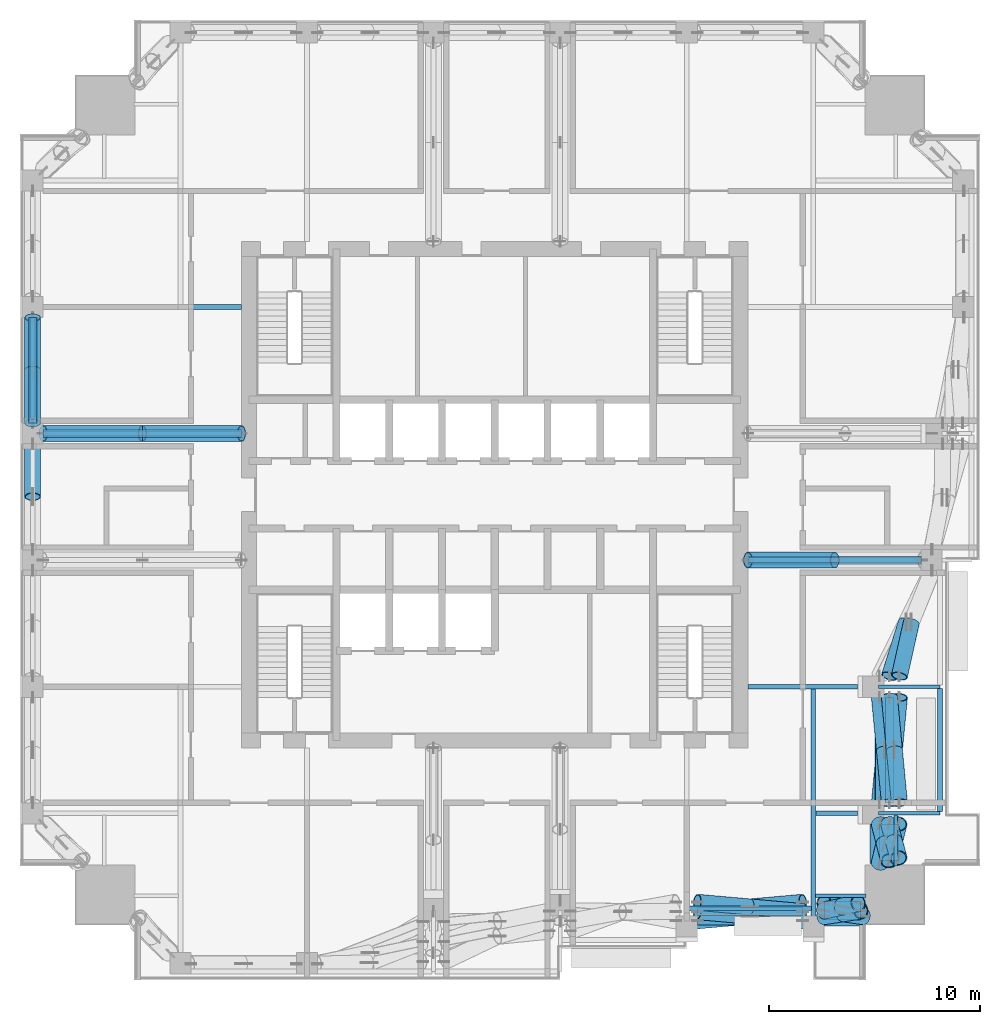
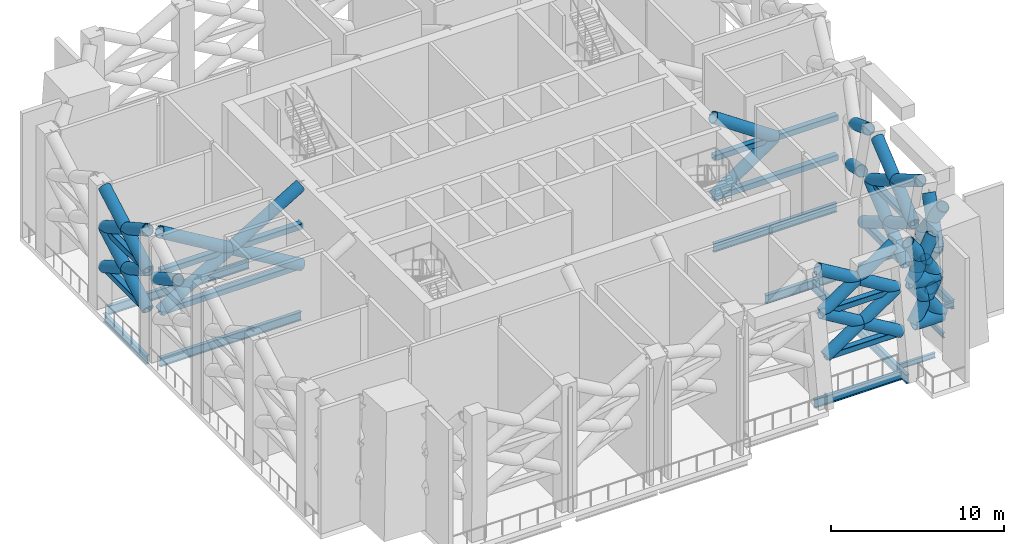
# One storey, part 3 of 18: 39 members, 27 beams.
"""IFC4 building model written with IfcOpenShell, lengths in metres."""

from ifc_helpers import new_model, si_unit, direction, frame, origin, origin_2d, place, context, subcontext, project, spatial, hollow_rectangle, hollow_circle, i_section, extrude, material, material_profile, profile_set, type_object, element, save


model = new_model("IFC4")

# Units and contexts
model_context = context("Model", 3, precision=1e-05, world=origin(), true_north=direction((0.0, 1.0)))
body_context = subcontext(model_context, "Body", "Model", "MODEL_VIEW")
ifc_project = project(units=[si_unit("LENGTHUNIT", "METRE"), si_unit("AREAUNIT", "SQUARE_METRE"), si_unit("VOLUMEUNIT", "CUBIC_METRE"), si_unit("PLANEANGLEUNIT", "RADIAN"), si_unit("MASSUNIT", "GRAM", prefix="KILO")], contexts=[model_context])

# Site, building, storey
site_placement = place(None, origin())
site = spatial("IfcSite", under=ifc_project, at=site_placement, CompositionType="ELEMENT")
building_placement = place(site_placement, origin())
building = spatial("IfcBuilding", under=site, at=building_placement, Name="Amberfall Residences", CompositionType="ELEMENT")
storey_placement = place(building_placement, frame((0.0, 0.0, 178.0)))
storey = spatial("IfcBuildingStorey", under=building, at=storey_placement, Name="L48", CompositionType="ELEMENT", Elevation=178.0)

# Beams
ifc_material = material(Name="Steel S355", Category="steel")
ifc_material_profile_1 = material_profile(ifc_material, hollow_circle(Radius=0.457275390625, WallThickness=0.06005859375, at=origin_2d()), Name="CHS 914.4x60")
ifc_profile_set_1 = profile_set([ifc_material_profile_1], Name="Steel S355")
beam_type_1 = type_object("IfcBeamType", Name="Belt truss chord BT CHS 914.4x60", PredefinedType="BEAM", material=ifc_profile_set_1)
beam_1_placement = place(storey_placement, frame((92.75146484375, 28.033447265625, 3.0), z_axis=(0.0, 1.0, 0.0), x_axis=(-1.0, 0.0, 0.0)))
element("IfcBeam", 1, at=beam_1_placement, inside=storey, type_object=beam_type_1, Name="Belt truss chord BT2 L48 SEE", PredefinedType="BEAM", context=body_context, shape_type="SweptSolid", body=[
    extrude(hollow_circle(Radius=0.457275390625, WallThickness=0.06005859375, at=origin_2d()), origin(), (0.0, 0.0, 1.0), 1.866455078125),
])
beam_2_placement = place(storey_placement, frame((93.197998046875, 28.154052734375, 5.646484375), z_axis=(0.0, 1.0, 0.0), x_axis=(-1.0, 0.0, 0.0)))
element("IfcBeam", 2, at=beam_2_placement, inside=storey, type_object=beam_type_1, Name="Belt truss chord BT2 L48 SEEm", PredefinedType="BEAM", context=body_context, shape_type="SweptSolid", body=[
    extrude(hollow_circle(Radius=0.457275390625, WallThickness=0.06005859375, at=origin_2d()), origin(), (0.0, 0.0, 1.0), 1.745849609375),
])
beam_3_placement = place(storey_placement, frame((91.96826171875, 25.525390625, 3.0), z_axis=(-1.0, 0.0, 0.0), x_axis=(0.0, -1.0, 0.0)))
element("IfcBeam", 3, at=beam_3_placement, inside=storey, type_object=beam_type_1, Name="Belt truss chord BT2 L48 SES", PredefinedType="BEAM", context=body_context, shape_type="SweptSolid", body=[
    extrude(hollow_circle(Radius=0.457275390625, WallThickness=0.06005859375, at=origin_2d()), origin(), (0.0, 0.0, 1.0), 1.8681640625),
])
beam_4_placement = place(storey_placement, frame((91.84716796875, 25.79443359375, 5.646484375), z_axis=(-1.0, 0.0, 0.0), x_axis=(0.0, -1.0, 0.0)))
element("IfcBeam", 4, at=beam_4_placement, inside=storey, type_object=beam_type_1, Name="Belt truss chord BT2 L48 SESm", PredefinedType="BEAM", context=body_context, shape_type="SweptSolid", body=[
    extrude(hollow_circle(Radius=0.457275390625, WallThickness=0.06005859375, at=origin_2d()), origin(), (0.0, 0.0, 1.0), 1.7470703125),
])
ifc_material_profile_2 = material_profile(ifc_material, hollow_rectangle(XDim=0.39990234375, YDim=0.39990234375, WallThickness=0.02001953125, InnerFilletRadius=0.02001953125, OuterFilletRadius=0.030029296875, at=origin_2d()), Name="RHS 400x400x20")
ifc_profile_set_2 = profile_set([ifc_material_profile_2], Name="Steel S355")
beam_type_2 = type_object("IfcBeamType", Name="Belt truss chord BT RHS 400x400x20", PredefinedType="BEAM", material=ifc_profile_set_2)
for number, where, z_axis, x_axis, name in (
    (5, (84.10009765625, 25.30029296875, 2.89990234375), (1.0, 0.0, 0.0), (0.0, 1.0, 0.0), "Belt truss chord BT3 L48 S5"),
    (6, (84.10009765625, 25.741943359375, 5.699951171875), (1.0, 0.0, 0.0), (0.0, 1.0, 0.0), "Belt truss chord BT3 L48 S5m"),
    (7, (92.734375, 30.89990234375, 2.89990234375), (0.0, 1.0, 0.0), (-1.0, 0.0, 0.0), "Belt truss chord BT3 L48 E1"),
    (8, (93.20703125, 30.89990234375, 5.699951171875), (0.0, 1.0, 0.0), (-1.0, 0.0, 0.0), "Belt truss chord BT3 L48 E1m"),
    (9, (52.60009765625, 48.89990234375, 2.89990234375), (0.0, 1.0, 0.0), (-1.0, 0.0, 0.0), "Belt truss chord BT3 L48 W4"),
    (10, (52.60009765625, 48.89990234375, 5.699951171875), (0.0, 1.0, 0.0), (-1.0, 0.0, 0.0), "Belt truss chord BT3 L48 W4m"),
):
    element("IfcBeam", number, at=place(storey_placement, frame(where, z_axis=z_axis, x_axis=x_axis)), inside=storey, type_object=beam_type_2, Name=name, PredefinedType="BEAM", context=body_context, shape_type="SweptSolid", body=[
        extrude(hollow_rectangle(XDim=0.39990234375, YDim=0.39990234375, WallThickness=0.02001953125, InnerFilletRadius=0.02001953125, OuterFilletRadius=0.030029296875, at=origin_2d()), origin(), (0.0, 0.0, 1.0), 5.0),
    ])

# Members
ifc_material_profile_3 = material_profile(ifc_material, hollow_circle(Radius=0.381103515625, WallThickness=0.0400390625, at=origin_2d()), Name="CHS 762x40")
ifc_profile_set_3 = profile_set([ifc_material_profile_3], Name="Steel S355")
member_type_1 = type_object("IfcMemberType", Name="Belt truss diagonal BT CHS 762x40", PredefinedType="BRACE", material=ifc_profile_set_3)
member_1_placement = place(storey_placement, frame((84.10009765625, 25.30029296875, 2.89990234375), z_axis=(0.869922751727, 0.076840344623, 0.487165236307), x_axis=(-0.087987496906, 0.99612157912, 0.0)))
element("IfcMember", 11, at=member_1_placement, inside=storey, type_object=member_type_1, Name="Belt truss diagonal BT4 L48 S5d", PredefinedType="BRACE", context=body_context, shape_type="SweptSolid", body=[
    extrude(hollow_circle(Radius=0.381103515625, WallThickness=0.0400390625, at=origin_2d()), origin(), (0.0, 0.0, 1.0), 5.74755859375),
])
for number, where, z_axis, x_axis, name in (
    (12, (84.10009765625, 25.741943359375, 5.699951171875), (0.869937912652, -0.076884161226, -0.487131249135), (0.088035758793, 0.996117314965, 0.0), "Belt truss diagonal BT4 L48 S5e"),
    (13, (86.60009765625, 25.52099609375, 4.300048828125), (0.869907588456, -0.076796529293, -0.487199220683), (0.087939234398, 0.996125840973, 0.0), "Belt truss diagonal BT4 L48 S5e2"),
):
    element("IfcMember", number, at=place(storey_placement, frame(where, z_axis=z_axis, x_axis=x_axis)), inside=storey, type_object=member_type_1, Name=name, PredefinedType="BRACE", context=body_context, shape_type="SweptSolid", body=[
        extrude(hollow_circle(Radius=0.381103515625, WallThickness=0.0400390625, at=origin_2d()), origin(), (0.0, 0.0, 1.0), 2.873779296875),
    ])
member_2_placement = place(storey_placement, frame((84.10009765625, 25.741943359375, 5.699951171875), z_axis=(0.869925590318, 0.07679811852, 0.487166825945), x_axis=(-0.087939234398, 0.996125840973, 0.0)))
element("IfcMember", 14, at=member_2_placement, inside=storey, type_object=member_type_1, Name="Belt truss diagonal BT4 L48 S5du", PredefinedType="BRACE", context=body_context, shape_type="SweptSolid", body=[
    extrude(hollow_circle(Radius=0.381103515625, WallThickness=0.0400390625, at=origin_2d()), origin(), (0.0, 0.0, 1.0), 5.74755859375),
])
for number, where, z_axis, x_axis, name in (
    (15, (84.10009765625, 26.183349609375, 8.5), (0.869943591728, -0.076799707707, -0.487134429196), (0.087939234398, 0.996125840973, 0.0), "Belt truss diagonal BT4 L48 S5eu"),
    (16, (86.60009765625, 25.962646484375, 7.10009765625), (0.869907588456, -0.076796529293, -0.487199220683), (0.087939234398, 0.996125840973, 0.0), "Belt truss diagonal BT4 L48 S5e2u"),
):
    element("IfcMember", number, at=place(storey_placement, frame(where, z_axis=z_axis, x_axis=x_axis)), inside=storey, type_object=member_type_1, Name=name, PredefinedType="BRACE", context=body_context, shape_type="SweptSolid", body=[
        extrude(hollow_circle(Radius=0.381103515625, WallThickness=0.0400390625, at=origin_2d()), origin(), (0.0, 0.0, 1.0), 2.873779296875),
    ])
member_3_placement = place(storey_placement, frame((92.734375, 30.89990234375, 2.89990234375), z_axis=(0.082199623387, 0.869549735, 0.486956343297), x_axis=(-0.995561645707, 0.094111686821, 0.0)))
element("IfcMember", 17, at=member_3_placement, inside=storey, type_object=member_type_1, Name="Belt truss diagonal BT4 L48 E1d", PredefinedType="BRACE", context=body_context, shape_type="SweptSolid", body=[
    extrude(hollow_circle(Radius=0.381103515625, WallThickness=0.0400390625, at=origin_2d()), origin(), (0.0, 0.0, 1.0), 5.75),
])
for number, where, z_axis, x_axis, name in (
    (18, (93.20703125, 30.89990234375, 5.699951171875), (-0.082201322878, 0.869567713086, -0.48692395184), (-0.995561645707, -0.094111686821, 0.0), "Belt truss diagonal BT4 L48 E1e"),
    (19, (92.970703125, 33.39990234375, 4.300048828125), (-0.082197923853, 0.869531756461, -0.486988732745), (-0.995561645707, -0.094111686821, 0.0), "Belt truss diagonal BT4 L48 E1e2"),
):
    element("IfcMember", number, at=place(storey_placement, frame(where, z_axis=z_axis, x_axis=x_axis)), inside=storey, type_object=member_type_1, Name=name, PredefinedType="BRACE", context=body_context, shape_type="SweptSolid", body=[
        extrude(hollow_circle(Radius=0.381103515625, WallThickness=0.0400390625, at=origin_2d()), origin(), (0.0, 0.0, 1.0), 2.875),
    ])
member_4_placement = place(storey_placement, frame((93.20703125, 30.89990234375, 5.699951171875), z_axis=(0.082199623387, 0.869549735, 0.486956343297), x_axis=(-0.995561645707, 0.094111686821, 0.0)))
element("IfcMember", 20, at=member_4_placement, inside=storey, type_object=member_type_1, Name="Belt truss diagonal BT4 L48 E1du", PredefinedType="BRACE", context=body_context, shape_type="SweptSolid", body=[
    extrude(hollow_circle(Radius=0.381103515625, WallThickness=0.0400390625, at=origin_2d()), origin(), (0.0, 0.0, 1.0), 5.75),
])
for number, where, z_axis, x_axis, name in (
    (21, (93.6796875, 30.89990234375, 8.5), (-0.082201322878, 0.869567713086, -0.48692395184), (-0.995561645707, -0.094111686821, 0.0), "Belt truss diagonal BT4 L48 E1eu"),
    (22, (93.443359375, 33.39990234375, 7.10009765625), (-0.082197923853, 0.869531756461, -0.486988732745), (-0.995561645707, -0.094111686821, 0.0), "Belt truss diagonal BT4 L48 E1e2u"),
):
    element("IfcMember", number, at=place(storey_placement, frame(where, z_axis=z_axis, x_axis=x_axis)), inside=storey, type_object=member_type_1, Name=name, PredefinedType="BRACE", context=body_context, shape_type="SweptSolid", body=[
        extrude(hollow_circle(Radius=0.381103515625, WallThickness=0.0400390625, at=origin_2d()), origin(), (0.0, 0.0, 1.0), 2.875),
    ])
member_5_placement = place(storey_placement, frame((93.20703125, 36.89990234375, 5.699951171875), z_axis=(0.267431299975, 0.849664199951, -0.454479094255), x_axis=(-0.953867120363, 0.300229107001, 0.0)))
element("IfcMember", 23, at=member_5_placement, inside=storey, type_object=member_type_1, Name="Belt truss diagonal BT4 L48 E2e", PredefinedType="BRACE", context=body_context, shape_type="SweptSolid", body=[
    extrude(hollow_circle(Radius=0.381103515625, WallThickness=0.0400390625, at=origin_2d()), origin(), (0.0, 0.0, 1.0), 3.009765625),
])
member_6_placement = place(storey_placement, frame((93.6796875, 36.89990234375, 8.5), z_axis=(0.192598487885, 0.864419061341, -0.4644195397), x_axis=(-0.976066068364, 0.217474205799, 0.0)))
element("IfcMember", 24, at=member_6_placement, inside=storey, type_object=member_type_1, Name="Belt truss diagonal BT4 L48 E2eu", PredefinedType="BRACE", context=body_context, shape_type="SweptSolid", body=[
    extrude(hollow_circle(Radius=0.381103515625, WallThickness=0.0400390625, at=origin_2d()), origin(), (0.0, 0.0, 1.0), 2.952392578125),
])
member_7_placement = place(storey_placement, frame((52.60009765625, 45.39990234375, 7.10009765625), z_axis=(0.0, 0.872484221242, -0.488642286018), x_axis=(-1.0, 0.0, 0.0)))
element("IfcMember", 25, at=member_7_placement, inside=storey, type_object=member_type_1, Name="Belt truss diagonal BT4 L48 W3e2u", PredefinedType="BRACE", context=body_context, shape_type="SweptSolid", body=[
    extrude(hollow_circle(Radius=0.381103515625, WallThickness=0.0400390625, at=origin_2d()), origin(), (0.0, 0.0, 1.0), 2.865478515625),
])
member_8_placement = place(storey_placement, frame((52.60009765625, 48.89990234375, 2.89990234375), z_axis=(0.0, 0.872502383543, 0.488609855315), x_axis=(-1.0, 0.0, 0.0)))
element("IfcMember", 26, at=member_8_placement, inside=storey, type_object=member_type_1, Name="Belt truss diagonal BT4 L48 W4d", PredefinedType="BRACE", context=body_context, shape_type="SweptSolid", body=[
    extrude(hollow_circle(Radius=0.381103515625, WallThickness=0.0400390625, at=origin_2d()), origin(), (0.0, 0.0, 1.0), 5.730712890625),
])
member_9_placement = place(storey_placement, frame((52.60009765625, 48.89990234375, 5.699951171875), z_axis=(0.0, 0.872520545396, -0.488577422588), x_axis=(-1.0, 0.0, 0.0)))
element("IfcMember", 27, at=member_9_placement, inside=storey, type_object=member_type_1, Name="Belt truss diagonal BT4 L48 W4e", PredefinedType="BRACE", context=body_context, shape_type="SweptSolid", body=[
    extrude(hollow_circle(Radius=0.381103515625, WallThickness=0.0400390625, at=origin_2d()), origin(), (0.0, 0.0, 1.0), 2.865234375),
])
member_10_placement = place(storey_placement, frame((52.60009765625, 51.39990234375, 4.300048828125), z_axis=(0.0, 0.872484221242, -0.488642286018), x_axis=(-1.0, 0.0, 0.0)))
element("IfcMember", 28, at=member_10_placement, inside=storey, type_object=member_type_1, Name="Belt truss diagonal BT4 L48 W4e2", PredefinedType="BRACE", context=body_context, shape_type="SweptSolid", body=[
    extrude(hollow_circle(Radius=0.381103515625, WallThickness=0.0400390625, at=origin_2d()), origin(), (0.0, 0.0, 1.0), 2.865478515625),
])
member_11_placement = place(storey_placement, frame((52.60009765625, 48.89990234375, 5.699951171875), z_axis=(0.0, 0.872502383543, 0.488609855315), x_axis=(-1.0, 0.0, 0.0)))
element("IfcMember", 29, at=member_11_placement, inside=storey, type_object=member_type_1, Name="Belt truss diagonal BT4 L48 W4du", PredefinedType="BRACE", context=body_context, shape_type="SweptSolid", body=[
    extrude(hollow_circle(Radius=0.381103515625, WallThickness=0.0400390625, at=origin_2d()), origin(), (0.0, 0.0, 1.0), 5.730712890625),
])
member_12_placement = place(storey_placement, frame((52.60009765625, 48.89990234375, 8.5), z_axis=(0.0, 0.872520545396, -0.488577422588), x_axis=(-1.0, 0.0, 0.0)))
element("IfcMember", 30, at=member_12_placement, inside=storey, type_object=member_type_1, Name="Belt truss diagonal BT4 L48 W4eu", PredefinedType="BRACE", context=body_context, shape_type="SweptSolid", body=[
    extrude(hollow_circle(Radius=0.381103515625, WallThickness=0.0400390625, at=origin_2d()), origin(), (0.0, 0.0, 1.0), 2.865234375),
])
member_13_placement = place(storey_placement, frame((52.60009765625, 51.39990234375, 7.10009765625), z_axis=(0.0, 0.872484221242, -0.488642286018), x_axis=(-1.0, 0.0, 0.0)))
element("IfcMember", 31, at=member_13_placement, inside=storey, type_object=member_type_1, Name="Belt truss diagonal BT4 L48 W4e2u", PredefinedType="BRACE", context=body_context, shape_type="SweptSolid", body=[
    extrude(hollow_circle(Radius=0.381103515625, WallThickness=0.0400390625, at=origin_2d()), origin(), (0.0, 0.0, 1.0), 2.865478515625),
])
ifc_material_profile_4 = material_profile(ifc_material, hollow_circle(Radius=0.406494140625, WallThickness=0.050048828125, at=origin_2d()), Name="CHS 813x50")
ifc_profile_set_4 = profile_set([ifc_material_profile_4], Name="Steel S355")
member_type_2 = type_object("IfcMemberType", Name="Belt truss diagonal BT CHS 813x50", PredefinedType="BRACE", material=ifc_profile_set_4)
member_14_placement = place(storey_placement, frame((92.75146484375, 28.033447265625, 3.0), z_axis=(0.136592658025, 0.570940880591, 0.809548612897), x_axis=(-0.97255448979, 0.232675233725, 0.0)))
element("IfcMember", 32, at=member_14_placement, inside=storey, type_object=member_type_2, Name="Belt truss diagonal BT5 L48 SEEd", PredefinedType="BRACE", context=body_context, shape_type="SweptSolid", body=[
    extrude(hollow_circle(Radius=0.406494140625, WallThickness=0.050048828125, at=origin_2d()), origin(), (0.0, 0.0, 1.0), 3.26904296875),
])
member_15_placement = place(storey_placement, frame((93.197998046875, 28.154052734375, 5.646484375), z_axis=(-0.139472236489, 0.545267024101, -0.826578107426), x_axis=(-0.968808965272, -0.247808774682, 0.0)))
element("IfcMember", 33, at=member_15_placement, inside=storey, type_object=member_type_2, Name="Belt truss diagonal BT5 L48 SEEe", PredefinedType="BRACE", context=body_context, shape_type="SweptSolid", body=[
    extrude(hollow_circle(Radius=0.406494140625, WallThickness=0.050048828125, at=origin_2d()), origin(), (0.0, 0.0, 1.0), 1.54736328125),
])
member_16_placement = place(storey_placement, frame((92.982177734375, 28.997802734375, 4.367431640625), z_axis=(-0.139458140046, 0.545288706317, -0.826566182431), x_axis=(-0.96881734322, -0.247776018767, 0.0)))
element("IfcMember", 34, at=member_16_placement, inside=storey, type_object=member_type_2, Name="Belt truss diagonal BT5 L48 SEEe2", PredefinedType="BRACE", context=body_context, shape_type="SweptSolid", body=[
    extrude(hollow_circle(Radius=0.406494140625, WallThickness=0.050048828125, at=origin_2d()), origin(), (0.0, 0.0, 1.0), 1.654296875),
])
member_17_placement = place(storey_placement, frame((93.197998046875, 28.154052734375, 5.646484375), z_axis=(0.137304316042, 0.545479535564, 0.826800823099), x_axis=(-0.969750363054, 0.244098818836, 0.0)))
element("IfcMember", 35, at=member_17_placement, inside=storey, type_object=member_type_2, Name="Belt truss diagonal BT5 L48 SEEdu", PredefinedType="BRACE", context=body_context, shape_type="SweptSolid", body=[
    extrude(hollow_circle(Radius=0.406494140625, WallThickness=0.050048828125, at=origin_2d()), origin(), (0.0, 0.0, 1.0), 3.20068359375),
])
member_18_placement = place(storey_placement, frame((93.637451171875, 28.2724609375, 8.292724609375), z_axis=(-0.140002693366, 0.518719656526, -0.843403322132), x_axis=(-0.965453253586, -0.260576313468, 0.0)))
element("IfcMember", 36, at=member_18_placement, inside=storey, type_object=member_type_2, Name="Belt truss diagonal BT5 L48 SEEeu", PredefinedType="BRACE", context=body_context, shape_type="SweptSolid", body=[
    extrude(hollow_circle(Radius=0.406494140625, WallThickness=0.050048828125, at=origin_2d()), origin(), (0.0, 0.0, 1.0), 1.513671875),
])
member_19_placement = place(storey_placement, frame((93.425537109375, 29.0576171875, 7.01611328125), z_axis=(-0.140117548127, 0.518675473215, -0.843411421663), x_axis=(-0.965393864243, -0.2607962555, 0.0)))
element("IfcMember", 37, at=member_19_placement, inside=storey, type_object=member_type_2, Name="Belt truss diagonal BT5 L48 SEEe2u", PredefinedType="BRACE", context=body_context, shape_type="SweptSolid", body=[
    extrude(hollow_circle(Radius=0.406494140625, WallThickness=0.050048828125, at=origin_2d()), origin(), (0.0, 0.0, 1.0), 1.6240234375),
])
member_20_placement = place(storey_placement, frame((91.96826171875, 25.525390625, 3.0), z_axis=(-0.574716322759, 0.082767562426, 0.814156421681), x_axis=(-0.142544025847, -0.9897884626, 0.0)))
element("IfcMember", 38, at=member_20_placement, inside=storey, type_object=member_type_2, Name="Belt truss diagonal BT5 L48 SESd", PredefinedType="BRACE", context=body_context, shape_type="SweptSolid", body=[
    extrude(hollow_circle(Radius=0.406494140625, WallThickness=0.050048828125, at=origin_2d()), origin(), (0.0, 0.0, 1.0), 3.25048828125),
])
member_21_placement = place(storey_placement, frame((91.84716796875, 25.79443359375, 5.646484375), z_axis=(-0.548968445977, -0.084615437162, -0.831549080401), x_axis=(0.15233637922, -0.98832870421, 0.0)))
element("IfcMember", 39, at=member_21_placement, inside=storey, type_object=member_type_2, Name="Belt truss diagonal BT5 L48 SESe", PredefinedType="BRACE", context=body_context, shape_type="SweptSolid", body=[
    extrude(hollow_circle(Radius=0.406494140625, WallThickness=0.050048828125, at=origin_2d()), origin(), (0.0, 0.0, 1.0), 1.537841796875),
])
member_22_placement = place(storey_placement, frame((91.0029296875, 25.664306640625, 4.36767578125), z_axis=(-0.548944085689, -0.084464354991, -0.831580521371), x_axis=(0.15207726818, -0.988368607607, 0.0)))
element("IfcMember", 40, at=member_22_placement, inside=storey, type_object=member_type_2, Name="Belt truss diagonal BT5 L48 SESe2", PredefinedType="BRACE", context=body_context, shape_type="SweptSolid", body=[
    extrude(hollow_circle(Radius=0.406494140625, WallThickness=0.050048828125, at=origin_2d()), origin(), (0.0, 0.0, 1.0), 1.644775390625),
])
member_23_placement = place(storey_placement, frame((91.84716796875, 25.79443359375, 5.646484375), z_axis=(-0.547644876941, 0.109590198963, 0.82950290961), x_axis=(-0.196221538785, -0.98055958907, 0.0)))
element("IfcMember", 41, at=member_23_placement, inside=storey, type_object=member_type_2, Name="Belt truss diagonal BT5 L48 SESdu", PredefinedType="BRACE", context=body_context, shape_type="SweptSolid", body=[
    extrude(hollow_circle(Radius=0.406494140625, WallThickness=0.050048828125, at=origin_2d()), origin(), (0.0, 0.0, 1.0), 3.190185546875),
])
member_24_placement = place(storey_placement, frame((91.727783203125, 26.14404296875, 8.292724609375), z_axis=(-0.520662976356, -0.111871304932, -0.846401131961), x_axis=(0.210068854643, -0.977686594113, 0.0)))
element("IfcMember", 42, at=member_24_placement, inside=storey, type_object=member_type_2, Name="Belt truss diagonal BT5 L48 SESeu", PredefinedType="BRACE", context=body_context, shape_type="SweptSolid", body=[
    extrude(hollow_circle(Radius=0.406494140625, WallThickness=0.050048828125, at=origin_2d()), origin(), (0.0, 0.0, 1.0), 1.508056640625),
])
member_25_placement = place(storey_placement, frame((90.942626953125, 25.975341796875, 7.016357421875), z_axis=(-0.520602228624, -0.111783903625, -0.846450044859), x_axis=(0.209935383816, -0.977715262549, 0.0)))
element("IfcMember", 43, at=member_25_placement, inside=storey, type_object=member_type_2, Name="Belt truss diagonal BT5 L48 SESe2u", PredefinedType="BRACE", context=body_context, shape_type="SweptSolid", body=[
    extrude(hollow_circle(Radius=0.406494140625, WallThickness=0.050048828125, at=origin_2d()), origin(), (0.0, 0.0, 1.0), 1.618408203125),
])

# Beams
ifc_material_profile_5 = material_profile(ifc_material, i_section(OverallWidth=0.171142578125, OverallDepth=0.351318359375, WebThickness=0.007080078125, FlangeThickness=0.009765625, FilletRadius=0.01025390625, at=origin_2d()), Name="UB 356x171x45")
ifc_profile_set_5 = profile_set([ifc_material_profile_5], Name="Steel S355")
beam_type_3 = type_object("IfcBeamType", Name="Cantilever girder UB 356x171x45", PredefinedType="BEAM", material=ifc_profile_set_5)
for number, where, z_axis, x_axis, name in (
    (44, (92.699951171875, 30.39990234375, -0.525634765625), (1.0, 0.0, 0.0), (0.0, 1.0, 0.0), "Cantilever girder B8 L48 19"),
    (45, (92.699951171875, 36.39990234375, -0.525634765625), (1.0, 0.0, 0.0), (0.0, 1.0, 0.0), "Cantilever girder B8 L48 20"),
):
    element("IfcBeam", number, at=place(storey_placement, frame(where, z_axis=z_axis, x_axis=x_axis)), inside=storey, type_object=beam_type_3, Name=name, PredefinedType="BEAM", context=body_context, shape_type="SweptSolid", body=[
        extrude(i_section(OverallWidth=0.171142578125, OverallDepth=0.351318359375, WebThickness=0.007080078125, FlangeThickness=0.009765625, FilletRadius=0.01025390625, at=origin_2d()), origin(), (0.0, 0.0, 1.0), 2.900146484375),
    ])
ifc_material_profile_6 = material_profile(ifc_material, i_section(OverallWidth=0.228271484375, OverallDepth=0.607666015625, WebThickness=0.010986328125, FlangeThickness=0.017333984375, FilletRadius=0.0126953125, at=origin_2d()), Name="UB 610x229x113")
ifc_profile_set_6 = profile_set([ifc_material_profile_6], Name="Steel S355")
beam_type_4 = type_object("IfcBeamType", Name="Edge beam UB 610x229x113", PredefinedType="SPANDREL", material=ifc_profile_set_6)
for number, where, z_axis, x_axis, name in (
    (46, (83.679931640625, 25.89990234375, -0.65380859375), (1.0, 0.0, 0.0), (0.0, 1.0, 0.0), "Edge beam B12 L48 05"),
    (47, (95.60009765625, 30.47998046875, -0.65380859375), (0.0, 1.0, 0.0), (-1.0, 0.0, 0.0), "Edge beam B12 L48 14"),
):
    element("IfcBeam", number, at=place(storey_placement, frame(where, z_axis=z_axis, x_axis=x_axis)), inside=storey, type_object=beam_type_4, Name=name, PredefinedType="SPANDREL", context=body_context, shape_type="SweptSolid", body=[
        extrude(i_section(OverallWidth=0.228271484375, OverallDepth=0.607666015625, WebThickness=0.010986328125, FlangeThickness=0.017333984375, FilletRadius=0.0126953125, at=origin_2d()), origin(), (0.0, 0.0, 1.0), 5.840087890625),
    ])
beam_5_placement = place(storey_placement, frame((52.60009765625, 48.89990234375, -0.65380859375), z_axis=(0.0, 1.0, 0.0), x_axis=(-1.0, 0.0, 0.0)))
element("IfcBeam", 48, at=beam_5_placement, inside=storey, type_object=beam_type_4, Name="Edge beam B12 L48 43", PredefinedType="SPANDREL", context=body_context, shape_type="SweptSolid", body=[
    extrude(i_section(OverallWidth=0.228271484375, OverallDepth=0.607666015625, WebThickness=0.010986328125, FlangeThickness=0.017333984375, FilletRadius=0.0126953125, at=origin_2d()), origin(), (0.0, 0.0, 1.0), 5.0),
])
ifc_material_profile_7 = material_profile(ifc_material, i_section(OverallWidth=0.230224609375, OverallDepth=0.6171875, WebThickness=0.01318359375, FlangeThickness=0.022216796875, FilletRadius=0.0126953125, at=origin_2d()), Name="UB 610x229x140")
ifc_profile_set_7 = profile_set([ifc_material_profile_7], Name="Steel S355")
beam_type_5 = type_object("IfcBeamType", Name="Floor girder UB 610x229x140", PredefinedType="BEAM", material=ifc_profile_set_7)
beam_6_placement = place(storey_placement, frame((89.60009765625, 25.300048828125, -0.65869140625), z_axis=(0.0, 1.0, 0.0), x_axis=(-1.0, 0.0, 0.0)))
element("IfcBeam", 49, at=beam_6_placement, inside=storey, type_object=beam_type_5, Name="Floor girder B13 L48 13", PredefinedType="BEAM", context=body_context, shape_type="SweptSolid", body=[
    extrude(i_section(OverallWidth=0.230224609375, OverallDepth=0.6171875, WebThickness=0.01318359375, FlangeThickness=0.022216796875, FilletRadius=0.0126953125, at=origin_2d()), origin(), (0.0, 0.0, 1.0), 10.98974609375),
])
beam_7_placement = place(storey_placement, frame((91.699951171875, 30.39990234375, -0.65869140625), z_axis=(-1.0, 0.0, 0.0), x_axis=(0.0, -1.0, 0.0)))
element("IfcBeam", 50, at=beam_7_placement, inside=storey, type_object=beam_type_5, Name="Floor girder B13 L48 23", PredefinedType="BEAM", context=body_context, shape_type="SweptSolid", body=[
    extrude(i_section(OverallWidth=0.230224609375, OverallDepth=0.6171875, WebThickness=0.01318359375, FlangeThickness=0.022216796875, FilletRadius=0.0126953125, at=origin_2d()), origin(), (0.0, 0.0, 1.0), 1.97998046875),
])
beam_8_placement = place(storey_placement, frame((91.699951171875, 36.39990234375, -0.65869140625), z_axis=(-1.0, 0.0, 0.0), x_axis=(0.0, -1.0, 0.0)))
element("IfcBeam", 51, at=beam_8_placement, inside=storey, type_object=beam_type_5, Name="Floor girder B13 L48 24", PredefinedType="BEAM", context=body_context, shape_type="SweptSolid", body=[
    extrude(i_section(OverallWidth=0.230224609375, OverallDepth=0.6171875, WebThickness=0.01318359375, FlangeThickness=0.022216796875, FilletRadius=0.0126953125, at=origin_2d()), origin(), (0.0, 0.0, 1.0), 5.199951171875),
])
beam_9_placement = place(storey_placement, frame((94.699951171875, 42.39990234375, -0.65869140625), z_axis=(-1.0, 0.0, 0.0), x_axis=(0.0, -1.0, 0.0)))
element("IfcBeam", 52, at=beam_9_placement, inside=storey, type_object=beam_type_5, Name="Floor girder B13 L48 25", PredefinedType="BEAM", context=body_context, shape_type="SweptSolid", body=[
    extrude(i_section(OverallWidth=0.230224609375, OverallDepth=0.6171875, WebThickness=0.01318359375, FlangeThickness=0.022216796875, FilletRadius=0.0126953125, at=origin_2d()), origin(), (0.0, 0.0, 1.0), 8.199951171875),
])
for number, where, z_axis, x_axis, name in (
    (53, (53.10009765625, 48.39990234375, -0.65869140625), (1.0, 0.0, 0.0), (0.0, 1.0, 0.0), "Floor girder B13 L48 48"),
    (54, (53.10009765625, 54.39990234375, -0.65869140625), (1.0, 0.0, 0.0), (0.0, 1.0, 0.0), "Floor girder B13 L48 49"),
):
    element("IfcBeam", number, at=place(storey_placement, frame(where, z_axis=z_axis, x_axis=x_axis)), inside=storey, type_object=beam_type_5, Name=name, PredefinedType="BEAM", context=body_context, shape_type="SweptSolid", body=[
        extrude(i_section(OverallWidth=0.230224609375, OverallDepth=0.6171875, WebThickness=0.01318359375, FlangeThickness=0.022216796875, FilletRadius=0.0126953125, at=origin_2d()), origin(), (0.0, 0.0, 1.0), 9.39990234375),
    ])
ifc_material_profile_8 = material_profile(ifc_material, i_section(OverallWidth=0.171142578125, OverallDepth=0.351318359375, WebThickness=0.007080078125, FlangeThickness=0.009765625, FilletRadius=0.01025390625, at=origin_2d()), Name="UB 356x171x45")
ifc_profile_set_8 = profile_set([ifc_material_profile_8], Name="Steel S355")
beam_type_6 = type_object("IfcBeamType", Name="Link beam UB 356x171x45", PredefinedType="BEAM", material=ifc_profile_set_8)
beam_10_placement = place(storey_placement, frame((92.10009765625, 26.5, -0.525634765625), z_axis=(-1.0, 0.0, 0.0), x_axis=(0.0, -1.0, 0.0)))
element("IfcBeam", 55, at=beam_10_placement, inside=storey, type_object=beam_type_6, Name="Link beam B7 L48 53", PredefinedType="BEAM", context=body_context, shape_type="SweptSolid", body=[
    extrude(i_section(OverallWidth=0.171142578125, OverallDepth=0.351318359375, WebThickness=0.007080078125, FlangeThickness=0.009765625, FilletRadius=0.01025390625, at=origin_2d()), origin(), (0.0, 0.0, 1.0), 2.405517578125),
])
beam_11_placement = place(storey_placement, frame((93.5, 27.89990234375, -0.525634765625), z_axis=(0.0, 1.0, 0.0), x_axis=(-1.0, 0.0, 0.0)))
element("IfcBeam", 56, at=beam_11_placement, inside=storey, type_object=beam_type_6, Name="Link beam B7 L48 54", PredefinedType="BEAM", context=body_context, shape_type="SweptSolid", body=[
    extrude(i_section(OverallWidth=0.171142578125, OverallDepth=0.351318359375, WebThickness=0.007080078125, FlangeThickness=0.009765625, FilletRadius=0.01025390625, at=origin_2d()), origin(), (0.0, 0.0, 1.0), 2.424560546875),
])
ifc_material_profile_9 = material_profile(ifc_material, hollow_rectangle(XDim=0.39990234375, YDim=0.39990234375, WallThickness=0.02001953125, InnerFilletRadius=0.02001953125, OuterFilletRadius=0.030029296875, at=origin_2d()), Name="RHS 400x400x20")
ifc_profile_set_9 = profile_set([ifc_material_profile_9], Name="Steel S355")
beam_type_7 = type_object("IfcBeamType", Name="Outrigger truss chord OT RHS 400x400x20", PredefinedType="BEAM", material=ifc_profile_set_9)
for number, where, z_axis, x_axis, name in (
    (57, (53.10009765625, 48.39990234375, 2.89990234375), (1.0, 0.0, 0.0), (0.0, 1.0, 0.0), "Outrigger truss chord OT2 L48 6"),
    (58, (53.10009765625, 48.39990234375, 5.699951171875), (1.0, 0.0, 0.0), (0.0, 1.0, 0.0), "Outrigger truss chord OT2 L48 6m"),
):
    element("IfcBeam", number, at=place(storey_placement, frame(where, z_axis=z_axis, x_axis=x_axis)), inside=storey, type_object=beam_type_7, Name=name, PredefinedType="BEAM", context=body_context, shape_type="SweptSolid", body=[
        extrude(hollow_rectangle(XDim=0.39990234375, YDim=0.39990234375, WallThickness=0.02001953125, InnerFilletRadius=0.02001953125, OuterFilletRadius=0.030029296875, at=origin_2d()), origin(), (0.0, 0.0, 1.0), 9.39990234375),
    ])
beam_12_placement = place(storey_placement, frame((94.71728515625, 42.39990234375, 2.89990234375), z_axis=(-1.0, 0.0, 0.0), x_axis=(0.0, -1.0, 0.0)))
element("IfcBeam", 59, at=beam_12_placement, inside=storey, type_object=beam_type_7, Name="Outrigger truss chord OT2 L48 7", PredefinedType="BEAM", context=body_context, shape_type="SweptSolid", body=[
    extrude(hollow_rectangle(XDim=0.39990234375, YDim=0.39990234375, WallThickness=0.02001953125, InnerFilletRadius=0.02001953125, OuterFilletRadius=0.030029296875, at=origin_2d()), origin(), (0.0, 0.0, 1.0), 8.21728515625),
])
beam_13_placement = place(storey_placement, frame((94.732421875, 42.39990234375, 5.699951171875), z_axis=(-1.0, 0.0, 0.0), x_axis=(0.0, -1.0, 0.0)))
element("IfcBeam", 60, at=beam_13_placement, inside=storey, type_object=beam_type_7, Name="Outrigger truss chord OT2 L48 7m", PredefinedType="BEAM", context=body_context, shape_type="SweptSolid", body=[
    extrude(hollow_rectangle(XDim=0.39990234375, YDim=0.39990234375, WallThickness=0.02001953125, InnerFilletRadius=0.02001953125, OuterFilletRadius=0.030029296875, at=origin_2d()), origin(), (0.0, 0.0, 1.0), 8.232421875),
])

# Members
ifc_material_profile_10 = material_profile(ifc_material, hollow_circle(Radius=0.381103515625, WallThickness=0.0400390625, at=origin_2d()), Name="CHS 762x40")
ifc_profile_set_10 = profile_set([ifc_material_profile_10], Name="Steel S355")
member_type_3 = type_object("IfcMemberType", Name="Outrigger truss diagonal OT CHS 762x40", PredefinedType="BRACE", material=ifc_profile_set_10)
for number, where, z_axis, x_axis, name in (
    (61, (53.10009765625, 48.39990234375, 2.89990234375), (0.859095281591, 0.0, 0.511815686695), (0.0, 1.0, 0.0), "Outrigger truss diagonal OT3 L48 6.1"),
    (62, (57.800048828125, 48.39990234375, 5.699951171875), (0.859095281591, 0.0, -0.511815686695), (0.0, 1.0, 0.0), "Outrigger truss diagonal OT3 L48 6.2"),
    (63, (53.10009765625, 48.39990234375, 8.5), (0.859095281591, 0.0, -0.511815686695), (0.0, 1.0, 0.0), "Outrigger truss diagonal OT3 L48 6.1u"),
    (64, (57.800048828125, 48.39990234375, 5.699951171875), (0.859095281591, 0.0, 0.511815686695), (0.0, 1.0, 0.0), "Outrigger truss diagonal OT3 L48 6.2u"),
):
    element("IfcMember", number, at=place(storey_placement, frame(where, z_axis=z_axis, x_axis=x_axis)), inside=storey, type_object=member_type_3, Name=name, PredefinedType="BRACE", context=body_context, shape_type="SweptSolid", body=[
        extrude(hollow_circle(Radius=0.381103515625, WallThickness=0.0400390625, at=origin_2d()), origin(), (0.0, 0.0, 1.0), 5.470703125),
    ])
for number, where, z_axis, x_axis, name in (
    (65, (90.616455078125, 42.39990234375, 5.699951171875), (-0.826846228533, 0.0, -0.562428052609), (0.0, -1.0, 0.0), "Outrigger truss diagonal OT3 L48 7.2"),
    (66, (90.616455078125, 42.39990234375, 5.699951171875), (-0.826846228533, 0.0, 0.562428052609), (0.0, -1.0, 0.0), "Outrigger truss diagonal OT3 L48 7.2u"),
):
    element("IfcMember", number, at=place(storey_placement, frame(where, z_axis=z_axis, x_axis=x_axis)), inside=storey, type_object=member_type_3, Name=name, PredefinedType="BRACE", context=body_context, shape_type="SweptSolid", body=[
        extrude(hollow_circle(Radius=0.381103515625, WallThickness=0.0400390625, at=origin_2d()), origin(), (0.0, 0.0, 1.0), 4.978515625),
    ])

save(model, "model.ifc")
